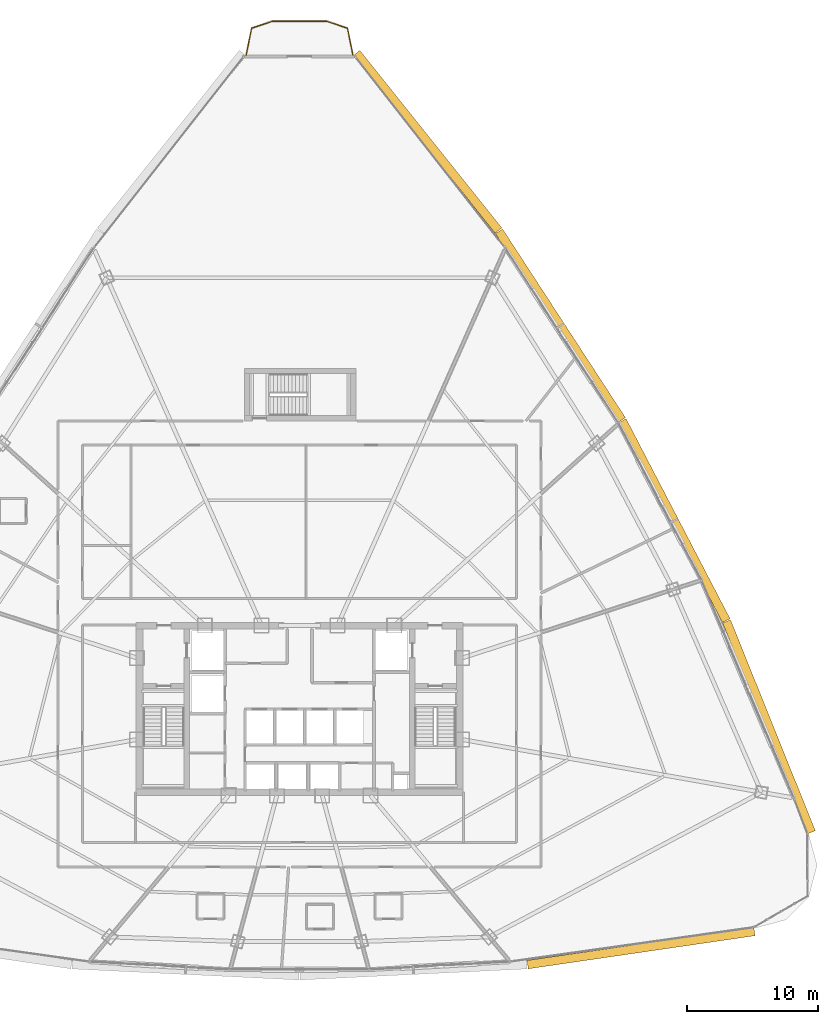
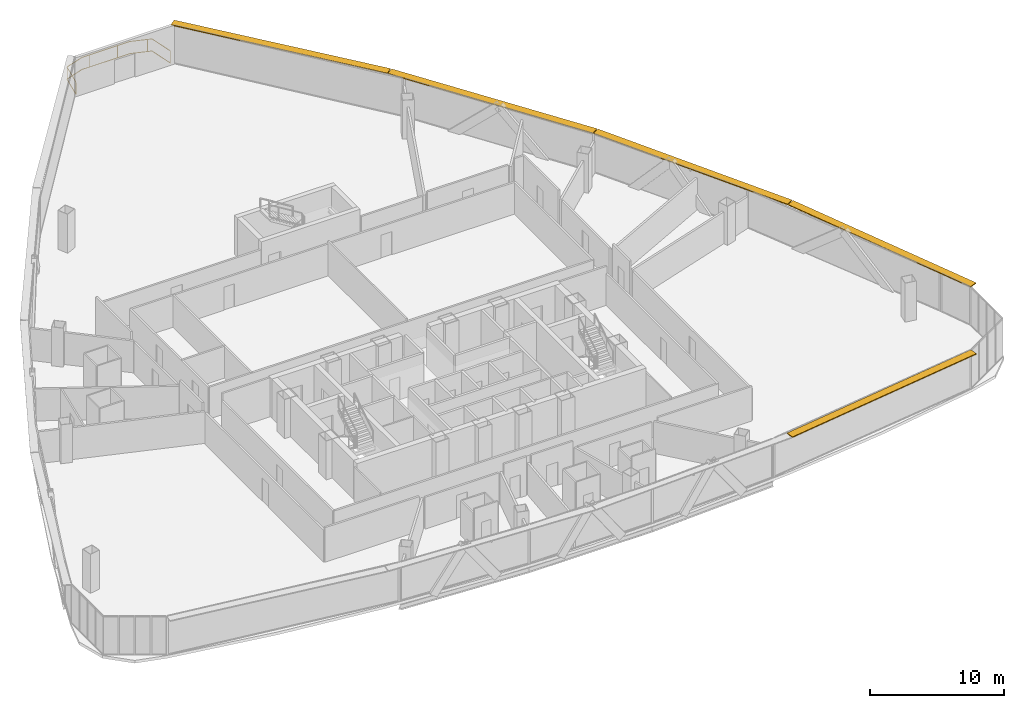
# One storey, part 40 of 40: 5 shading devices, 1 railing.
"""IFC4 building model written with IfcOpenShell, lengths in metres."""

from ifc_helpers import new_model, si_unit, direction, frame, origin, origin_2d, place, context, subcontext, project, spatial, rectangle, extrude, source, transform, mapped, material, layer, layer_set, type_object, element, save


model = new_model("IFC4")

# Units and contexts
model_context = context("Model", 3, precision=1e-05, world=origin(), true_north=direction((0.0, 1.0)))
body_context = subcontext(model_context, "Body", "Model", "MODEL_VIEW")
ifc_project = project(units=[si_unit("LENGTHUNIT", "METRE"), si_unit("AREAUNIT", "SQUARE_METRE"), si_unit("VOLUMEUNIT", "CUBIC_METRE"), si_unit("PLANEANGLEUNIT", "RADIAN"), si_unit("MASSUNIT", "GRAM", prefix="KILO"), si_unit("THERMODYNAMICTEMPERATUREUNIT", "KELVIN"), si_unit("POWERUNIT", "WATT")], contexts=[model_context])

# Site, building, storey
site_placement = place(None, origin())
site = spatial("IfcSite", under=ifc_project, at=site_placement, CompositionType="ELEMENT")
building_placement = place(site_placement, origin())
building = spatial("IfcBuilding", under=site, at=building_placement, Name="Yunzhuo Pagoda Commons", CompositionType="ELEMENT")
storey_placement = place(building_placement, frame((0.0, 0.0, 180.9599609375)))
storey = spatial("IfcBuildingStorey", under=building, at=storey_placement, Name="L45", CompositionType="ELEMENT", Elevation=180.9599609375)

# Railing
ifc_material = material(Name="Anodized aluminium 6063-T6", Category="aluminium")
railing_type = type_object("IfcRailingType", Name="RL-BAL1 Exterior Terrace & Balcony Balustrade 1150", PredefinedType="BALUSTRADE", material=ifc_material)
railing_placement = place(storey_placement, frame((52.060302734375, 83.712646484375, 0.0)))
element("IfcRailing", 1, at=railing_placement, inside=storey, type_object=railing_type, Name="L45 corner balcony balustrade V3", PredefinedType="BALUSTRADE", context=body_context, shape_type="SweptSolid", body=[
    extrude(rectangle(XDim=0.048095703125, YDim=0.048095703125, at=origin_2d()), frame((0.0, 0.0, 1.1259765625), z_axis=(-0.194200568098, 0.980961843983, 0.0), x_axis=(-0.980961843983, -0.194200568098, 0.0)), (0.0, 0.0, 1.0), 2.059326171875),
    extrude(rectangle(XDim=0.048095703125, YDim=0.048095703125, at=origin_2d()), frame((0.0, 0.0, 0.02392578125), z_axis=(-0.194200568098, 0.980961843983, 0.0), x_axis=(-0.980961843983, -0.194200568098, 0.0)), (0.0, 0.0, 1.0), 2.059326171875),
    extrude(rectangle(XDim=0.048095703125, YDim=0.048095703125, at=origin_2d()), frame((-0.39990234375, 2.02001953125, 1.1259765625), z_axis=(-0.948697861028, 0.316184073732, 0.0), x_axis=(-0.316184073732, -0.948697861028, 0.0)), (0.0, 0.0, 1.0), 1.67626953125),
    extrude(rectangle(XDim=0.048095703125, YDim=0.048095703125, at=origin_2d()), frame((-0.39990234375, 2.02001953125, 0.02392578125), z_axis=(-0.948697861028, 0.316184073732, 0.0), x_axis=(-0.316184073732, -0.948697861028, 0.0)), (0.0, 0.0, 1.0), 1.67626953125),
    extrude(rectangle(XDim=0.048095703125, YDim=0.048095703125, at=origin_2d()), frame((-1.990234375, 2.550048828125, 1.1259765625), z_axis=(-1.0, 0.0, 0.0), x_axis=(0.0, -1.0, 0.0)), (0.0, 0.0, 1.0), 4.14013671875),
    extrude(rectangle(XDim=0.048095703125, YDim=0.048095703125, at=origin_2d()), frame((-1.990234375, 2.550048828125, 0.02392578125), z_axis=(-1.0, 0.0, 0.0), x_axis=(0.0, -1.0, 0.0)), (0.0, 0.0, 1.0), 4.14013671875),
    extrude(rectangle(XDim=0.048095703125, YDim=0.048095703125, at=origin_2d()), frame((-6.13037109375, 2.550048828125, 1.1259765625), z_axis=(-0.948697861028, -0.316184073732, 0.0), x_axis=(0.316184073732, -0.948697861028, 0.0)), (0.0, 0.0, 1.0), 1.67626953125),
    extrude(rectangle(XDim=0.048095703125, YDim=0.048095703125, at=origin_2d()), frame((-6.13037109375, 2.550048828125, 0.02392578125), z_axis=(-0.948697861028, -0.316184073732, 0.0), x_axis=(0.316184073732, -0.948697861028, 0.0)), (0.0, 0.0, 1.0), 1.67626953125),
    extrude(rectangle(XDim=0.048095703125, YDim=0.048095703125, at=origin_2d()), frame((-7.720703125, 2.02001953125, 1.1259765625), z_axis=(-0.194200568098, -0.980961843983, 0.0), x_axis=(0.980961843983, -0.194200568098, 0.0)), (0.0, 0.0, 1.0), 2.059326171875),
    extrude(rectangle(XDim=0.048095703125, YDim=0.048095703125, at=origin_2d()), frame((-7.720703125, 2.02001953125, 0.02392578125), z_axis=(-0.194200568098, -0.980961843983, 0.0), x_axis=(0.980961843983, -0.194200568098, 0.0)), (0.0, 0.0, 1.0), 2.059326171875),
    extrude(rectangle(XDim=0.0419921875, YDim=0.0419921875, at=origin_2d()), origin(), (0.0, 0.0, 1.0), 1.101806640625),
    extrude(rectangle(XDim=0.0419921875, YDim=0.0419921875, at=origin_2d()), frame((-0.72314453125, 2.127685546875, 0.0)), (0.0, 0.0, 1.0), 1.101806640625),
    extrude(rectangle(XDim=0.0419921875, YDim=0.0419921875, at=origin_2d()), frame((-3.0546875, 2.550048828125, 0.0)), (0.0, 0.0, 1.0), 1.101806640625),
    extrude(rectangle(XDim=0.0419921875, YDim=0.0419921875, at=origin_2d()), frame((-5.45458984375, 2.550048828125, 0.0)), (0.0, 0.0, 1.0), 1.101806640625),
    extrude(rectangle(XDim=0.0419921875, YDim=0.0419921875, at=origin_2d()), frame((-7.72998046875, 1.972900390625, 0.0)), (0.0, 0.0, 1.0), 1.101806640625),
    extrude(rectangle(XDim=0.0419921875, YDim=0.0419921875, at=origin_2d()), frame((-8.12060546875, 0.0, 0.0)), (0.0, 0.0, 1.0), 1.101806640625),
])

# Shading devices
ifc_layer = layer(ifc_material, 0.080078125)
ifc_layer_set = layer_set([ifc_layer], Name="Anodized aluminium 6063-T6")
shading_device_type = type_object("IfcShadingDeviceType", Name="SH-SUN1 Pagoda Horizontal Sunshade Eave 650", PredefinedType="USERDEFINED", material=ifc_layer_set)
shared_shape_1 = source(origin(), body_context, "Body", "SweptSolid", [
    extrude(rectangle(XDim=17.475830078125, YDim=0.64990234375, at=origin_2d()), origin(), (0.0, 0.0, 1.0), 0.080078125),
])
shading_device_1_placement = place(storey_placement, frame((74.032958984375, 15.615478515625, 3.4599609375), z_axis=(0.0, 0.0, 1.0), x_axis=(0.989510666697, 0.144459823108, 0.0)))
element("IfcShadingDevice", 2, at=shading_device_1_placement, inside=storey, type_object=shading_device_type, Name="L45 horizontal pagoda sunshade eave F1.4", ObjectType="SUNSHADE", PredefinedType="USERDEFINED", context=body_context, shape_type="MappedRepresentation", body=[
    mapped(shared_shape_1, transform((0.0, 0.0, 0.0), scale=1.0)),
])
shared_shape_2 = source(origin(), body_context, "Body", "SweptSolid", [
    extrude(rectangle(XDim=17.335205078125, YDim=0.64990234375, at=origin_2d()), origin(), (0.0, 0.0, 1.0), 0.080078125),
])
shading_device_2_placement = place(storey_placement, frame((83.786865234375, 32.4794921875, 3.4599609375), z_axis=(0.0, 0.0, 1.0), x_axis=(-0.372987782576, 0.927836253899, 0.0)))
element("IfcShadingDevice", 3, at=shading_device_2_placement, inside=storey, type_object=shading_device_type, Name="L45 horizontal pagoda sunshade eave F2.1", ObjectType="SUNSHADE", PredefinedType="USERDEFINED", context=body_context, shape_type="MappedRepresentation", body=[
    mapped(shared_shape_2, transform((0.0, 0.0, 0.0), scale=1.0)),
])
shared_shape_3 = source(origin(), body_context, "Body", "SweptSolid", [
    extrude(rectangle(XDim=17.1708984375, YDim=0.64990234375, at=origin_2d()), origin(), (0.0, 0.0, 1.0), 0.080078125),
])
for number, where, z_axis, x_axis, name in (
    (4, (76.56787109375, 48.19677734375, 3.4599609375), (0.0, 0.0, 1.0), (-0.461206683033, 0.88729273384, 0.0), "L45 horizontal pagoda sunshade eave F2.2"),
    (5, (67.889892578125, 63.06298828125, 3.4599609375), (0.0, 0.0, 1.0), (-0.545838756973, 0.837890238269, 0.0), "L45 horizontal pagoda sunshade eave F2.3"),
):
    element("IfcShadingDevice", number, at=place(storey_placement, frame(where, z_axis=z_axis, x_axis=x_axis)), inside=storey, type_object=shading_device_type, Name=name, ObjectType="SUNSHADE", PredefinedType="USERDEFINED", context=body_context, shape_type="MappedRepresentation", body=[
        mapped(shared_shape_3, transform((0.0, 0.0, 0.0), scale=1.0)),
    ])
shared_shape_4 = source(origin(), body_context, "Body", "SweptSolid", [
    extrude(rectangle(XDim=17.33544921875, YDim=0.64990234375, at=origin_2d()), origin(), (0.0, 0.0, 1.0), 0.080078125),
])
shading_device_3_placement = place(storey_placement, frame((57.75341796875, 77.077392578125, 3.4599609375), z_axis=(0.0, 0.0, 1.0), x_axis=(-0.624520471688, 0.781008438138, 0.0)))
element("IfcShadingDevice", 6, at=shading_device_3_placement, inside=storey, type_object=shading_device_type, Name="L45 horizontal pagoda sunshade eave F2.4", ObjectType="SUNSHADE", PredefinedType="USERDEFINED", context=body_context, shape_type="MappedRepresentation", body=[
    mapped(shared_shape_4, transform((0.0, 0.0, 0.0), scale=1.0)),
])

save(model, "model.ifc")
